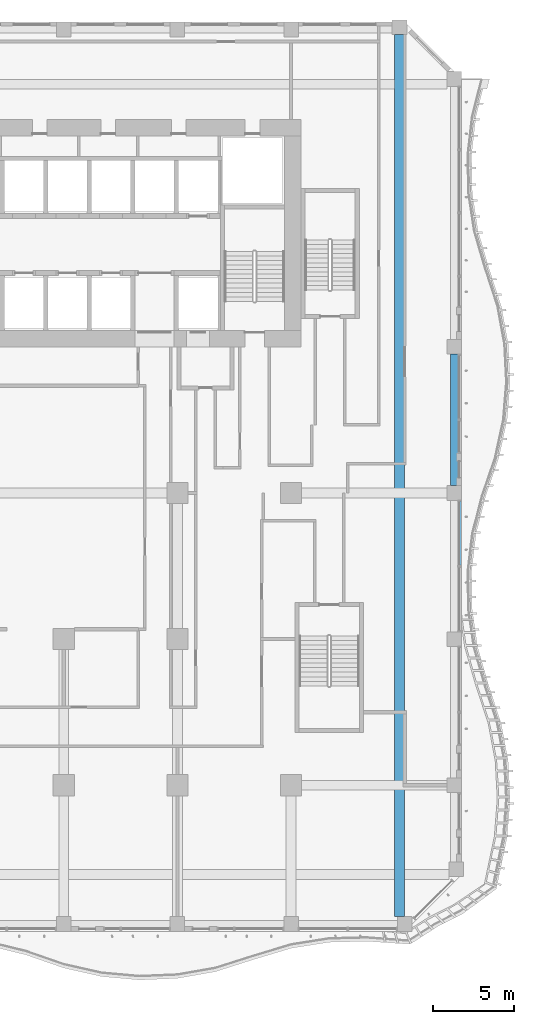
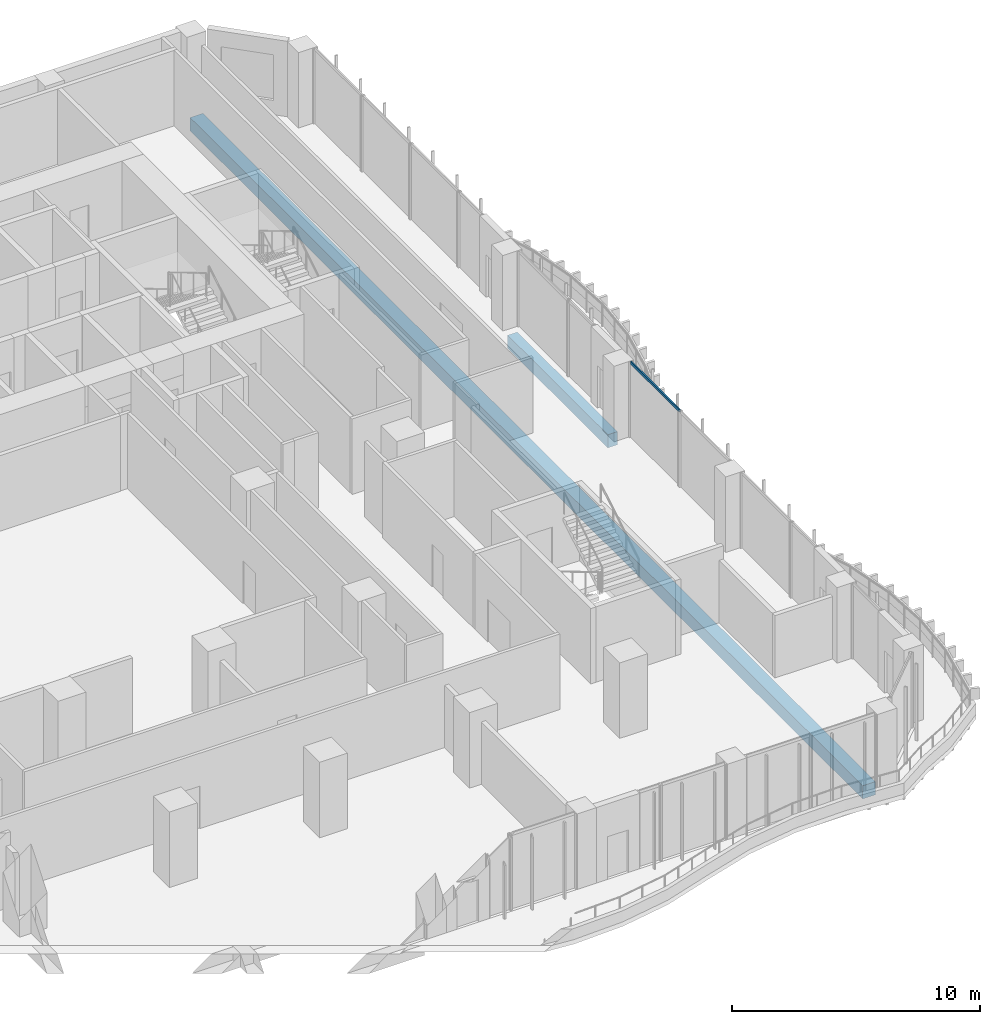
# One storey, part 5 of 27: 2 beams, 1 member, 1 element without a shape of its own.
"""IFC4 building model written with IfcOpenShell, lengths in metres."""

from ifc_helpers import new_model, si_unit, direction, frame, origin, origin_2d, place, context, subcontext, project, spatial, rectangle, extrude, source, transform, mapped, material, material_profile, profile_set, type_object, element, aggregate, save


model = new_model("IFC4")

# Units and contexts
model_context = context("Model", 3, precision=1e-05, world=origin(), true_north=direction((0.0, 1.0)))
body_context = subcontext(model_context, "Body", "Model", "MODEL_VIEW")
ifc_project = project(units=[si_unit("LENGTHUNIT", "METRE"), si_unit("AREAUNIT", "SQUARE_METRE"), si_unit("VOLUMEUNIT", "CUBIC_METRE"), si_unit("PLANEANGLEUNIT", "RADIAN"), si_unit("MASSUNIT", "GRAM", prefix="KILO")], contexts=[model_context])

# Site, building, storey
site_placement = place(None, origin())
site = spatial("IfcSite", under=ifc_project, at=site_placement, CompositionType="ELEMENT")
building_placement = place(site_placement, origin())
building = spatial("IfcBuilding", under=site, at=building_placement, Name="Kilnfold Tower and Market Hall", CompositionType="ELEMENT")
storey_placement = place(building_placement, frame((0.0, 0.0, 47.0)))
storey = spatial("IfcBuildingStorey", under=building, at=storey_placement, Name="L10", CompositionType="ELEMENT", Elevation=47.0)

# Beams
ifc_material_1 = material(Name="Concrete C45", Category="concrete")
ifc_material_profile_1 = material_profile(ifc_material_1, rectangle(XDim=0.60009765625, YDim=0.64990234375, at=origin_2d()), Name="RC 600x650")
ifc_profile_set_1 = profile_set([ifc_material_profile_1], Name="Concrete C45")
beam_type_1 = type_object("IfcBeamType", Name="BEAM 600X650 C45", PredefinedType="BEAM", material=ifc_profile_set_1)
shared_shape_1 = source(origin(), body_context, "Body", "SweptSolid", [
    extrude(rectangle(XDim=0.60009765625, YDim=0.64990234375, at=origin_2d()), origin(), (0.0, 0.0, 1.0), 54.331787109375),
])
beam_1_placement = place(storey_placement, frame((24.179931640625, -27.10009765625, -0.60498046875), z_axis=(0.0, 1.0, 0.0), x_axis=(-1.0, 0.0, 0.0)))
element("IfcBeam", 1, at=beam_1_placement, inside=storey, type_object=beam_type_1, Name="Beam BB650-B1.57", PredefinedType="BEAM", context=body_context, shape_type="MappedRepresentation", body=[
    mapped(shared_shape_1, transform((0.0, 0.0, 0.0))),
])
ifc_material_2 = material(Name="Concrete C45", Category="concrete")
ifc_material_profile_2 = material_profile(ifc_material_2, rectangle(XDim=0.449951171875, YDim=0.64990234375, at=origin_2d()), Name="RC 450x650")
ifc_profile_set_2 = profile_set([ifc_material_profile_2], Name="Concrete C45")
beam_type_2 = type_object("IfcBeamType", Name="EDGE BEAM 450X650 C45", PredefinedType="BEAM", material=ifc_profile_set_2)
shared_shape_2 = source(origin(), body_context, "Body", "SweptSolid", [
    extrude(rectangle(XDim=0.449951171875, YDim=0.64990234375, at=origin_2d()), origin(), (0.0, 0.0, 1.0), 8.10009765625),
])
beam_2_placement = place(storey_placement, frame((27.550048828125, -0.550048828125, -0.60498046875), z_axis=(0.0, 1.0, 0.0), x_axis=(-1.0, 0.0, 0.0)))
element("IfcBeam", 2, at=beam_2_placement, inside=storey, type_object=beam_type_2, Name="Beam EB650-B1.53", PredefinedType="BEAM", context=body_context, shape_type="MappedRepresentation", body=[
    mapped(shared_shape_2, transform((0.0, 0.0, 0.0))),
])

# Curtain wall, member
ifc_material_3 = material(Name="Aluminium and double glazing", Category="aluminium")
curtain_wall_type = type_object("IfcCurtainWallType", Name="CW OF1 VALLEY GLAZING", PredefinedType="NOTDEFINED", material=ifc_material_3)
curtain_wall_placement = place(storey_placement, origin())
curtain_wall = element("IfcCurtainWall", 3, at=curtain_wall_placement, inside=storey, type_object=curtain_wall_type, Name="Curtain wall CW1 L10 E", PredefinedType="NOTDEFINED")
ifc_material_4 = material(Name="Aluminium", Category="aluminium")
ifc_material_profile_3 = material_profile(ifc_material_4, rectangle(XDim=0.06005859375, YDim=0.139892578125, at=origin_2d()), Name="TRANSOM 60x140")
ifc_profile_set_3 = profile_set([ifc_material_profile_3], Name="Aluminium")
member_type = type_object("IfcMemberType", Name="TRANSOM 60X140", PredefinedType="USERDEFINED", material=ifc_profile_set_3)
shared_shape_3 = source(origin(), body_context, "Body", "SweptSolid", [
    extrude(rectangle(XDim=0.06005859375, YDim=0.139892578125, at=origin_2d()), origin(), (0.0, 0.0, 1.0), 3.929931640625),
])
member_placement = place(storey_placement, frame((27.85009765625, -5.43994140625, 3.68994140625), z_axis=(0.0, 1.0, 0.0), x_axis=(-1.0, 0.0, 0.0)))
member = element("IfcMember", 4, at=member_placement, type_object=member_type, Name="CW1 transom 1.2", ObjectType="TRANSOM", PredefinedType="USERDEFINED", context=body_context, shape_type="MappedRepresentation", body=[
    mapped(shared_shape_3, transform((0.0, 0.0, 0.0))),
])
aggregate(curtain_wall, [member])

save(model, "model.ifc")
